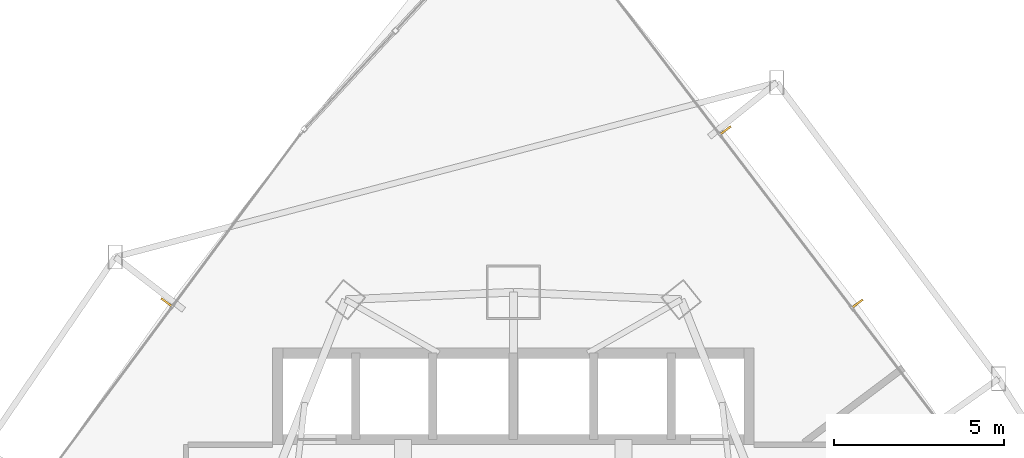
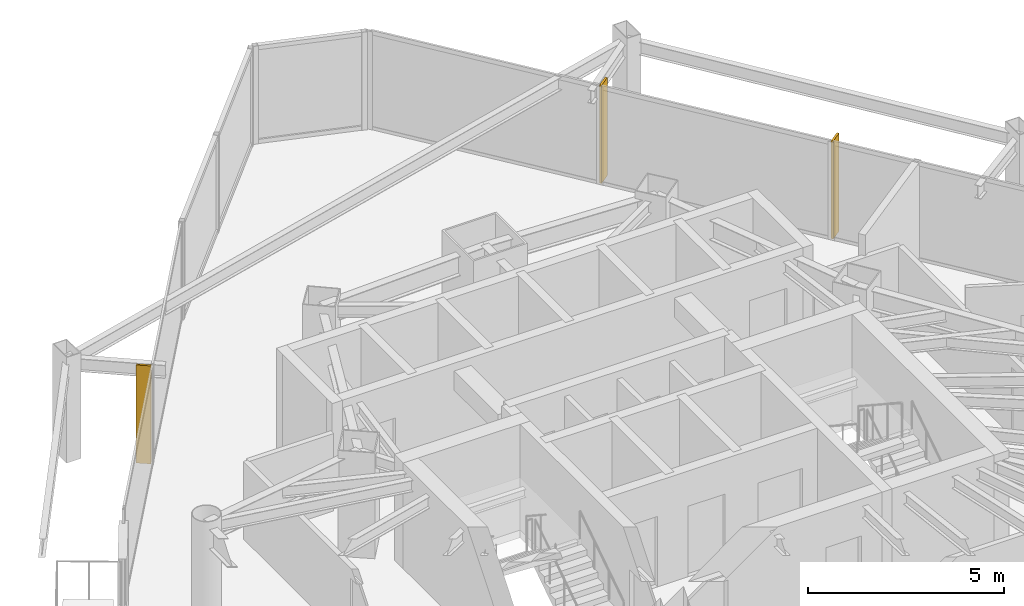
# One storey, part 38 of 38: 3 shading devices.
"""IFC4 building model written with IfcOpenShell, lengths in metres."""

from ifc_helpers import new_model, si_unit, direction, frame, origin, origin_2d, place, context, subcontext, project, spatial, rectangle, extrude, material, layer, layer_set, type_object, element, save


model = new_model("IFC4")

# Units and contexts
model_context = context("Model", 3, precision=1e-05, world=origin(), true_north=direction((0.0, 1.0)))
body_context = subcontext(model_context, "Body", "Model", "MODEL_VIEW")
ifc_project = project(units=[si_unit("LENGTHUNIT", "METRE"), si_unit("AREAUNIT", "SQUARE_METRE"), si_unit("VOLUMEUNIT", "CUBIC_METRE"), si_unit("PLANEANGLEUNIT", "RADIAN"), si_unit("MASSUNIT", "GRAM", prefix="KILO")], contexts=[model_context])

# Site, building, storey
site_placement = place(None, origin())
site = spatial("IfcSite", under=ifc_project, at=site_placement, CompositionType="ELEMENT")
building_placement = place(site_placement, origin())
building = spatial("IfcBuilding", under=site, at=building_placement, Name="Orvanel Arch Residences", CompositionType="ELEMENT")
storey_placement = place(building_placement, frame((0.0, 0.0, 43.39990234375)))
storey = spatial("IfcBuildingStorey", under=building, at=storey_placement, Name="L11", CompositionType="ELEMENT", Elevation=43.39990234375)

# Shading devices
ifc_material = material(Name="Bronze-anodised aluminium AA6063-T6", Category="aluminium")
ifc_layer = layer(ifc_material, 0.06005859375)
ifc_layer_set = layer_set([ifc_layer], Name="Bronze-anodised aluminium AA6063-T6")
shading_device_type = type_object("IfcShadingDeviceType", Name="FIN-BRZ-380", PredefinedType="USERDEFINED", material=ifc_layer_set)
for number, where, z_axis, x_axis, name in (
    (1, (22.764892578125, 41.10498046875, 0.0), (0.0, 0.0, 1.0), (-0.803856860617, 0.594822786751, 0.0), "L11 Anodised Bronze Mullion FIN 01"),
    (2, (43.155029296875, 41.068115234375, 0.0), (0.0, 0.0, 1.0), (0.795473480855, 0.605988400266, 0.0), "L11 Anodised Bronze Mullion FIN 01"),
    (3, (39.261962890625, 46.176025390625, 0.0), (0.0, 0.0, 1.0), (0.795473480855, 0.605988400266, 0.0), "L11 Anodised Bronze Mullion FIN 02"),
):
    element("IfcShadingDevice", number, at=place(storey_placement, frame(where, z_axis=z_axis, x_axis=x_axis)), inside=storey, type_object=shading_device_type, Name=name, ObjectType="FIN", PredefinedType="USERDEFINED", context=body_context, shape_type="SweptSolid", body=[
        extrude(rectangle(XDim=0.3798828125, YDim=0.06005859375, at=origin_2d()), origin(), (0.0, 0.0, 1.0), 3.06005859375),
    ])

save(model, "model.ifc")
